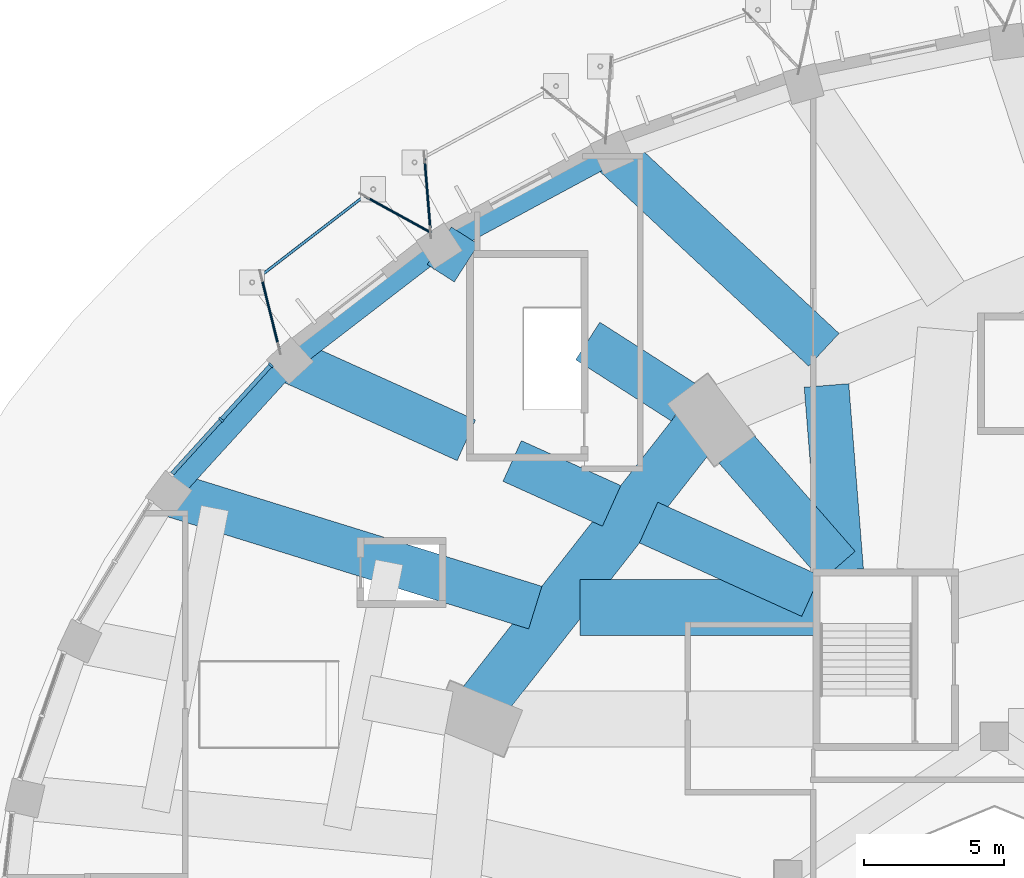
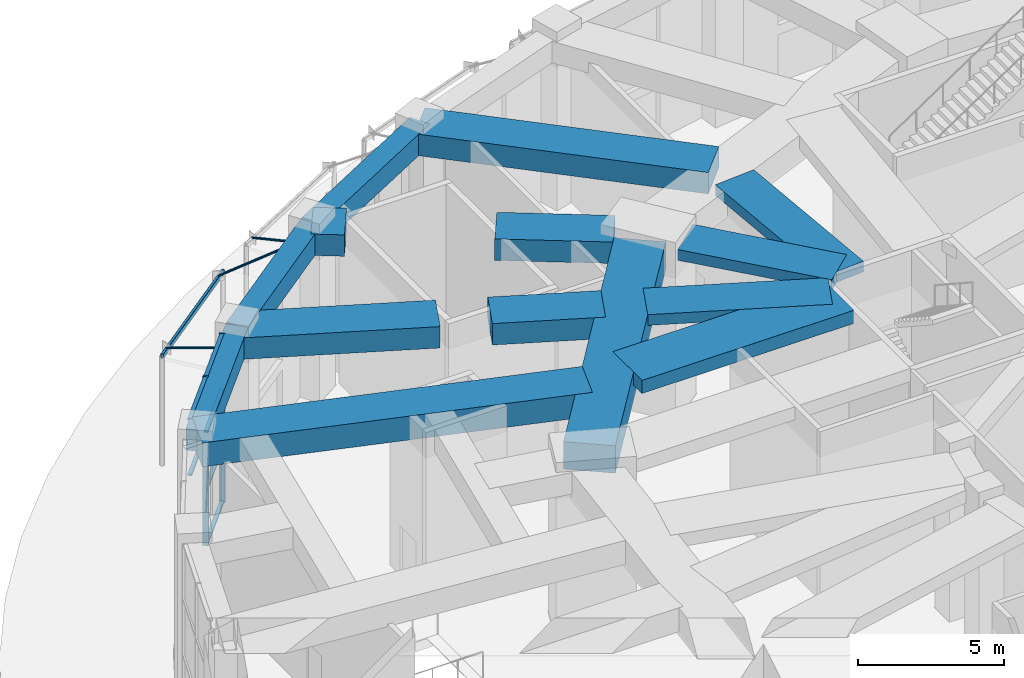
# One storey, part 26 of 60: 15 beams, 11 members, 1 element without a shape of its own.
"""IFC4 building model written with IfcOpenShell, lengths in metres."""

import ifcopenshell
import ifcopenshell.guid

model = None  # the IFC model being written
_history = None  # IfcOwnerHistory: only IFC2X3 demands one
_inside = {}  # id of a spatial element -> (the spatial element, [elements in it])
_under = {}  # id of a project, library or spatial element -> (it, [spatial elements below it])
_declared = {}  # id of a project -> (the project, [libraries it declares])
_typed = {}  # id of a type object -> (the type object, [elements of that type])
_made_of = {}  # id of a material, layer set ... -> (it, [elements and type objects made of it])


def new_model(schema):
    """Start an empty IFC model of exactly this schema.

    Asked for "IFC4X3", IfcOpenShell would pick the latest addendum, in which some entities
    have other attributes; the version numbers below select the first issue.
    IFC2X3 requires an IfcOwnerHistory on every rooted entity: one is made here for all.
    """
    global model, _history
    if schema == "IFC4X3":
        model = ifcopenshell.file(schema_version=(4, 3, 0, 0))
    else:
        model = ifcopenshell.file(schema=schema)
    _inside.clear()
    _under.clear()
    _declared.clear()
    _typed.clear()
    _made_of.clear()
    _history = None
    if model.schema == "IFC2X3":
        org = make("IfcOrganization", Name="unknown")
        user = make(
            "IfcPersonAndOrganization",
            ThePerson=make("IfcPerson", FamilyName="unknown"),
            TheOrganization=org,
        )
        app = make(
            "IfcApplication",
            ApplicationDeveloper=org,
            Version="unknown",
            ApplicationFullName="unknown",
            ApplicationIdentifier="unknown",
        )
        _history = make(
            "IfcOwnerHistory",
            OwningUser=user,
            OwningApplication=app,
            ChangeAction="ADDED",
            CreationDate=0,
        )
    return model


def make(cls, **values):
    """One entity of the class cls with the attributes given. An attribute that is None is left unset."""
    return model.create_entity(
        cls, **{name: value for name, value in values.items() if value is not None}
    )


def rooted(cls, **values):
    """An entity with a GlobalId (a new one), such as an element, a storey or a relation."""
    return make(cls, GlobalId=ifcopenshell.guid.new(), OwnerHistory=_history, **values)


def si_unit(unit_type, name, prefix=None):
    """IfcSIUnit, for example si_unit("LENGTHUNIT", "METRE", prefix="MILLI")."""
    return make("IfcSIUnit", UnitType=unit_type, Prefix=prefix, Name=name)


def assignment(units):
    """IfcUnitAssignment: the units of a project."""
    return None if units is None else make("IfcUnitAssignment", Units=units)


def point(xyz):
    """IfcCartesianPoint."""
    return None if xyz is None else make("IfcCartesianPoint", Coordinates=xyz)


def direction(xyz):
    """IfcDirection."""
    return None if xyz is None else make("IfcDirection", DirectionRatios=xyz)


def frame(location, z_axis=None, x_axis=None):
    """IfcAxis2Placement3D, a coordinate frame: its origin and axes. An axis left out is left unset."""
    return make(
        "IfcAxis2Placement3D",
        Location=point(location),
        Axis=direction(z_axis),
        RefDirection=direction(x_axis),
    )


def frame_2d(location, x_axis=None):
    """IfcAxis2Placement2D, a coordinate frame in the plane: its origin and x axis."""
    return make(
        "IfcAxis2Placement2D", Location=point(location), RefDirection=direction(x_axis)
    )


def origin():
    """The frame at (0, 0, 0) with its axes left unset."""
    return frame((0.0, 0.0, 0.0))


def origin_2d():
    """The frame at (0, 0) in the plane with its x axis left unset."""
    return frame_2d((0.0, 0.0))


def place(relative_to, where):
    """IfcLocalPlacement: puts the frame where relative to a parent placement (None: the world)."""
    return make(
        "IfcLocalPlacement", PlacementRelTo=relative_to, RelativePlacement=where
    )


def context(
    kind, dimensions, precision=None, world=None, true_north=None, identifier=None
):
    """IfcGeometricRepresentationContext, for example the 3D "Model" context."""
    return make(
        "IfcGeometricRepresentationContext",
        ContextIdentifier=identifier,
        ContextType=kind,
        CoordinateSpaceDimension=dimensions,
        Precision=precision,
        WorldCoordinateSystem=world,
        TrueNorth=true_north,
    )


def subcontext(parent, identifier, kind, view, scale=None):
    """IfcGeometricRepresentationSubContext, for example "Body" below "Model"."""
    return make(
        "IfcGeometricRepresentationSubContext",
        ContextIdentifier=identifier,
        ContextType=kind,
        ParentContext=parent,
        TargetScale=scale,
        TargetView=view,
    )


def project(units=None, contexts=None):
    """IfcProject with its units and contexts."""
    return rooted(
        "IfcProject",
        Name="project",
        RepresentationContexts=contexts,
        UnitsInContext=assignment(units),
    )


def spatial(cls, under=None, at=None, **own):
    """A site, building, storey or space (cls), placed at a placement, below another one or the project."""
    s = rooted(cls, ObjectPlacement=at, **own)
    if under is not None:
        _under.setdefault(under.id(), (under, []))[1].append(s)
    return s


def profile(cls, at=None, kind="AREA", **sizes):
    """A parametric profile (cls). Its sizes go by their IFC names, for example OverallWidth=200.0."""
    return make(cls, ProfileType=kind, Position=at, **sizes)


def rectangle(**sizes):
    """IfcRectangleProfileDef."""
    return profile("IfcRectangleProfileDef", **sizes)


def hollow_rectangle(**sizes):
    """IfcRectangleHollowProfileDef."""
    return profile("IfcRectangleHollowProfileDef", **sizes)


def hollow_circle(**sizes):
    """IfcCircleHollowProfileDef."""
    return profile("IfcCircleHollowProfileDef", **sizes)


def extrude(swept, where, along, depth):
    """IfcExtrudedAreaSolid: the profile swept, set in the frame where, extruded along a direction by depth."""
    return make(
        "IfcExtrudedAreaSolid",
        SweptArea=swept,
        Position=where,
        ExtrudedDirection=direction(along),
        Depth=depth,
    )


def shape(context_of_items, identifier, shape_type, items):
    """IfcShapeRepresentation: the items that make up one representation, for example the "Body"."""
    return make(
        "IfcShapeRepresentation",
        ContextOfItems=context_of_items,
        RepresentationIdentifier=identifier,
        RepresentationType=shape_type,
        Items=items,
    )


def material(Name=None, Category=None):
    """IfcMaterial."""
    return make("IfcMaterial", Name=Name, Category=Category)


def material_profile(
    of_material, cross_section, Name=None, Category=None, Priority=None
):
    """IfcMaterialProfile: a cross section and its material."""
    return make(
        "IfcMaterialProfile",
        Name=Name,
        Material=of_material,
        Profile=cross_section,
        Priority=Priority,
        Category=Category,
    )


def profile_set(profiles, Name=None, composite=None):
    """IfcMaterialProfileSet."""
    return make(
        "IfcMaterialProfileSet",
        Name=Name,
        MaterialProfiles=profiles,
        CompositeProfile=composite,
    )


def made_of(thing, what):
    """Note that an element or type object is made of a material, layer set ...; save() writes the relation."""
    if what is not None:
        _made_of.setdefault(what.id(), (what, []))[1].append(thing)
    return thing


def type_object(cls, material=None, **own):
    """A type object (cls), such as IfcWallType, which elements share."""
    return made_of(rooted(cls, **own), material)


def element(
    cls,
    number,
    at=None,
    inside=None,
    cuts=None,
    type_object=None,
    material=None,
    context=None,
    identifier="Body",
    shape_type=None,
    held_by="IfcProductDefinitionShape",
    body=None,
    shapes=None,
    **own,
):
    """One element of the class cls, such as IfcWall. Its Tag is "e" and its number.

    at: its placement. inside: the storey or other place that contains it. cuts: it is an
    opening in that element (IfcRelVoidsElement). A single representation is given by context,
    identifier, shape_type and body (its items); several are given by shapes. held_by: the class
    of the entity that holds the representations. save() writes the other relations.
    """
    e = rooted(cls, Tag="e%d" % number, ObjectPlacement=at, **own)
    if body is not None:
        shapes = [shape(context, identifier, shape_type, body)]
    if shapes is not None:
        e.Representation = make(held_by, Representations=shapes)
    if inside is not None:
        _inside.setdefault(inside.id(), (inside, []))[1].append(e)
    if cuts is not None:
        rooted(
            "IfcRelVoidsElement", RelatingBuildingElement=cuts, RelatedOpeningElement=e
        )
    if type_object is not None:
        _typed.setdefault(type_object.id(), (type_object, []))[1].append(e)
    return made_of(e, material)


def aggregate(whole, parts):
    """IfcRelAggregates: a whole, such as a stair, and the parts it consists of."""
    return rooted("IfcRelAggregates", RelatingObject=whole, RelatedObjects=parts)


def save(model, path):
    """Write the relations noted so far, then the file.

    IfcRelAggregates (storeys below a building ...), IfcRelContainedInSpatialStructure (elements
    in a storey), IfcRelDefinesByType, IfcRelAssociatesMaterial and IfcRelDeclares: one each for
    every whole, place, type object, material and project.
    """
    for whole, parts in _under.values():
        aggregate(whole, parts)
    for where, things in _inside.values():
        rooted(
            "IfcRelContainedInSpatialStructure",
            RelatedElements=things,
            RelatingStructure=where,
        )
    for kind, things in _typed.values():
        rooted("IfcRelDefinesByType", RelatedObjects=things, RelatingType=kind)
    for what, things in _made_of.values():
        rooted("IfcRelAssociatesMaterial", RelatedObjects=things, RelatingMaterial=what)
    for by, libraries in _declared.values():
        rooted("IfcRelDeclares", RelatingContext=by, RelatedDefinitions=libraries)
    model.write(path)


model = new_model("IFC4")

# Units and contexts
model_context = context("Model", 3, precision=1e-05, world=origin(), true_north=direction((0.0, 1.0)))
body_context = subcontext(model_context, "Body", "Model", "MODEL_VIEW")
ifc_project = project(units=[si_unit("LENGTHUNIT", "METRE"), si_unit("AREAUNIT", "SQUARE_METRE"), si_unit("VOLUMEUNIT", "CUBIC_METRE"), si_unit("PLANEANGLEUNIT", "RADIAN"), si_unit("MASSUNIT", "GRAM", prefix="KILO")], contexts=[model_context])

# Site, building, storey
site_placement = place(None, origin())
site = spatial("IfcSite", under=ifc_project, at=site_placement, CompositionType="ELEMENT")
building_placement = place(site_placement, origin())
building = spatial("IfcBuilding", under=site, at=building_placement, Name="Taillehof Tower", CompositionType="ELEMENT")
storey_placement = place(building_placement, origin())
storey = spatial("IfcBuildingStorey", under=building, at=storey_placement, Name="L00", CompositionType="ELEMENT", Elevation=0.0)

# Beam
ifc_material_1 = material(Name="Steel S460M", Category="steel")
ifc_material_profile_1 = material_profile(ifc_material_1, hollow_rectangle(XDim=0.10009765625, YDim=0.199951171875, WallThickness=0.008056640625, InnerFilletRadius=0.008056640625, OuterFilletRadius=0.011962890625, at=origin_2d()), Name="RHS 200x100x8")
ifc_profile_set_1 = profile_set([ifc_material_profile_1], Name="Steel S460M")
beam_type_1 = type_object("IfcBeamType", Name="Canopy edge beam RHS 200x100x8", PredefinedType="BEAM", material=ifc_profile_set_1)
beam_1_placement = place(storey_placement, frame((-30.247802734375, 27.6240234375, 4.550048828125), z_axis=(-0.792460982744, -0.609922610524, 0.0), x_axis=(0.609922610524, -0.792460982744, 0.0)))
element("IfcBeam", 1, at=beam_1_placement, inside=storey, type_object=beam_type_1, Name="Canopy edge beam E2", PredefinedType="BEAM", context=body_context, shape_type="SweptSolid", body=[
    extrude(hollow_rectangle(XDim=0.10009765625, YDim=0.199951171875, WallThickness=0.008056640625, InnerFilletRadius=0.008056640625, OuterFilletRadius=0.011962890625, at=origin_2d()), origin(), (0.0, 0.0, 1.0), 5.51318359375),
])

# Members
ifc_material_2 = material(Name="Steel S460M", Category="steel")
ifc_material_profile_2 = material_profile(ifc_material_2, hollow_circle(Radius=0.04443359375, WallThickness=0.0048828125, at=origin_2d()), Name="CHS 89x5")
ifc_profile_set_2 = profile_set([ifc_material_profile_2], Name="Steel S460M")
member_type_1 = type_object("IfcMemberType", Name="Canopy tie CHS 89x5", PredefinedType="BRACE", material=ifc_profile_set_2)
member_1_placement = place(storey_placement, frame((-28.42822265625, 28.76318359375, 4.639892578125), z_axis=(0.072990996782, -0.890635175961, 0.448822122594), x_axis=(0.996658604155, 0.081680026718, 0.0)))
element("IfcMember", 2, at=member_1_placement, inside=storey, type_object=member_type_1, Name="Canopy tie E20", PredefinedType="BRACE", context=body_context, shape_type="SweptSolid", body=[
    extrude(hollow_circle(Radius=0.04443359375, WallThickness=0.0048828125, at=origin_2d()), origin(), (0.0, 0.0, 1.0), 3.0302734375),
])
member_2_placement = place(storey_placement, frame((-30.580810546875, 27.367919921875, 4.639892578125), z_axis=(0.783276965784, -0.430186053408, 0.448795225381), x_axis=(0.481389194927, 0.876506955482, 0.0)))
element("IfcMember", 3, at=member_2_placement, inside=storey, type_object=member_type_1, Name="Canopy tie E2", PredefinedType="BRACE", context=body_context, shape_type="SweptSolid", body=[
    extrude(hollow_circle(Radius=0.04443359375, WallThickness=0.0048828125, at=origin_2d()), origin(), (0.0, 0.0, 1.0), 3.030517578125),
])
member_3_placement = place(storey_placement, frame((-34.283935546875, 24.517578125, 4.639892578125), z_axis=(0.214905929566, -0.867437014804, 0.448740979615), x_axis=(0.970654613858, 0.240477900434, 0.0)))
element("IfcMember", 4, at=member_3_placement, inside=storey, type_object=member_type_1, Name="Canopy tie E2", PredefinedType="BRACE", context=body_context, shape_type="SweptSolid", body=[
    extrude(hollow_circle(Radius=0.04443359375, WallThickness=0.0048828125, at=origin_2d()), origin(), (0.0, 0.0, 1.0), 3.031005859375),
])

# Beams
ifc_material_3 = material(Name="Concrete C50/60", Category="concrete")
ifc_material_profile_3 = material_profile(ifc_material_3, rectangle(XDim=0.800048828125, YDim=0.89990234375, at=origin_2d()), Name="RC 800x900")
ifc_profile_set_3 = profile_set([ifc_material_profile_3], Name="Concrete C50/60")
beam_type_2 = type_object("IfcBeamType", Name="Podium edge beam C50/60 800x900", PredefinedType="BEAM", material=ifc_profile_set_3)
beam_2_placement = place(storey_placement, frame((-21.699951171875, 28.92529296875, 6.639892578125), z_axis=(-0.880322944269, -0.474374866317, 0.0), x_axis=(0.474374866317, -0.880322944269, 0.0)))
element("IfcBeam", 5, at=beam_2_placement, inside=storey, type_object=beam_type_2, Name="Podium edge beam PB13", PredefinedType="BEAM", context=body_context, shape_type="SweptSolid", body=[
    extrude(rectangle(XDim=0.800048828125, YDim=0.89990234375, at=origin_2d()), origin(), (0.0, 0.0, 1.0), 7.03955078125),
])
beam_3_placement = place(storey_placement, frame((-27.89697265625, 25.5859375, 6.639892578125), z_axis=(-0.79247741179, -0.609901263978, 0.0), x_axis=(0.609901263978, -0.79247741179, 0.0)))
element("IfcBeam", 6, at=beam_3_placement, inside=storey, type_object=beam_type_2, Name="Podium edge beam PB14", PredefinedType="BEAM", context=body_context, shape_type="SweptSolid", body=[
    extrude(rectangle(XDim=0.800048828125, YDim=0.89990234375, at=origin_2d()), origin(), (0.0, 0.0, 1.0), 6.750244140625),
])
beam_4_placement = place(storey_placement, frame((-33.246337890625, 21.468994140625, 6.639892578125), z_axis=(-0.67297994181, -0.739660731634, 0.0), x_axis=(0.739660731634, -0.67297994181, 0.0)))
element("IfcBeam", 7, at=beam_4_placement, inside=storey, type_object=beam_type_2, Name="Podium edge beam PB15", PredefinedType="BEAM", context=body_context, shape_type="SweptSolid", body=[
    extrude(rectangle(XDim=0.800048828125, YDim=0.89990234375, at=origin_2d()), origin(), (0.0, 0.0, 1.0), 6.447509765625),
])
ifc_material_4 = material(Name="Concrete C50/60", Category="concrete")
ifc_material_profile_4 = material_profile(ifc_material_4, rectangle(XDim=1.60009765625, YDim=1.0, at=origin_2d()), Name="RC 1600x1000")
ifc_profile_set_4 = profile_set([ifc_material_profile_4], Name="Concrete C50/60")
beam_type_3 = type_object("IfcBeamType", Name="Podium radial beam C50/60 1600x1000", PredefinedType="BEAM", material=ifc_profile_set_4)
beam_5_placement = place(storey_placement, frame((-37.58544921875, 16.699951171875, 6.590087890625), z_axis=(0.954998937437, -0.296609220179, 0.0), x_axis=(0.296609220179, 0.954998937437, 0.0)))
element("IfcBeam", 8, at=beam_5_placement, inside=storey, type_object=beam_type_3, Name="Podium radial beam PR16", PredefinedType="BEAM", context=body_context, shape_type="SweptSolid", body=[
    extrude(rectangle(XDim=1.60009765625, YDim=1.0, at=origin_2d()), origin(), (0.0, 0.0, 1.0), 13.748291015625),
])
ifc_material_5 = material(Name="Concrete C50/60", Category="concrete")
ifc_material_profile_5 = material_profile(ifc_material_5, rectangle(XDim=1.60009765625, YDim=0.89990234375, at=origin_2d()), Name="RC 1600x900")
ifc_profile_set_5 = profile_set([ifc_material_profile_5], Name="Concrete C50/60")
beam_type_4 = type_object("IfcBeamType", Name="Podium radial beam C50/60 1600x900", PredefinedType="BEAM", material=ifc_profile_set_5)
beam_6_placement = place(storey_placement, frame((-21.699951171875, 28.92529296875, 6.639892578125), z_axis=(0.73163305696, -0.681698665074, 0.0), x_axis=(0.681698665074, 0.73163305696, 0.0)))
element("IfcBeam", 9, at=beam_6_placement, inside=storey, type_object=beam_type_4, Name="Podium radial beam PR13", PredefinedType="BEAM", context=body_context, shape_type="SweptSolid", body=[
    extrude(rectangle(XDim=1.60009765625, YDim=0.89990234375, at=origin_2d()), origin(), (0.0, 0.0, 1.0), 10.365234375),
])
beam_7_placement = place(storey_placement, frame((-27.89697265625, 25.5859375, 6.639892578125), z_axis=(0.841775665567, -0.539827499169, 0.0), x_axis=(0.539827499169, 0.841775665567, 0.0)))
element("IfcBeam", 10, at=beam_7_placement, inside=storey, type_object=beam_type_4, Name="Podium radial beam PR14", PredefinedType="BEAM", context=body_context, shape_type="SweptSolid", body=[
    extrude(rectangle(XDim=1.60009765625, YDim=0.89990234375, at=origin_2d()), origin(), (0.0, 0.0, 1.0), 1.154541015625),
])
beam_8_placement = place(storey_placement, frame((-22.574951171875, 22.173828125, 6.639892578125), z_axis=(0.841844206541, -0.539720605419, 0.0), x_axis=(0.539720605419, 0.841844206541, 0.0)))
element("IfcBeam", 11, at=beam_8_placement, inside=storey, type_object=beam_type_4, Name="Podium radial beam PR14", PredefinedType="BEAM", context=body_context, shape_type="SweptSolid", body=[
    extrude(rectangle(XDim=1.60009765625, YDim=0.89990234375, at=origin_2d()), origin(), (0.0, 0.0, 1.0), 4.071044921875),
])
beam_9_placement = place(storey_placement, frame((-33.246337890625, 21.468994140625, 6.639892578125), z_axis=(0.911451939096, -0.411406566206, 0.0), x_axis=(0.411406566206, 0.911451939096, 0.0)))
element("IfcBeam", 12, at=beam_9_placement, inside=storey, type_object=beam_type_4, Name="Podium radial beam PR15", PredefinedType="BEAM", context=body_context, shape_type="SweptSolid", body=[
    extrude(rectangle(XDim=1.60009765625, YDim=0.89990234375, at=origin_2d()), origin(), (0.0, 0.0, 1.0), 6.935302734375),
])
beam_10_placement = place(storey_placement, frame((-25.2841796875, 17.875, 6.639892578125), z_axis=(0.911458229732, -0.411392629314, 0.0), x_axis=(0.411392629314, 0.911458229732, 0.0)))
element("IfcBeam", 13, at=beam_10_placement, inside=storey, type_object=beam_type_4, Name="Podium radial beam PR15", PredefinedType="BEAM", context=body_context, shape_type="SweptSolid", body=[
    extrude(rectangle(XDim=1.60009765625, YDim=0.89990234375, at=origin_2d()), origin(), (0.0, 0.0, 1.0), 3.90966796875),
])
ifc_material_6 = material(Name="Concrete C50/60", Category="concrete")
ifc_material_profile_6 = material_profile(ifc_material_6, rectangle(XDim=1.60009765625, YDim=0.449951171875, at=origin_2d()), Name="RC 1600x450")
ifc_profile_set_6 = profile_set([ifc_material_profile_6], Name="Concrete C50/60")
beam_type_5 = type_object("IfcBeamType", Name="Radial band beam C50/60 1600x450", PredefinedType="BEAM", material=ifc_profile_set_6)
beam_11_placement = place(storey_placement, frame((-14.022705078125, 20.580810546875, 6.864990234375), z_axis=(0.079171881643, -0.996860979855, 0.0), x_axis=(0.996860979855, 0.079171881643, 0.0)))
element("IfcBeam", 14, at=beam_11_placement, inside=storey, type_object=beam_type_5, Name="Radial band beam RB13", PredefinedType="BEAM", context=body_context, shape_type="SweptSolid", body=[
    extrude(rectangle(XDim=1.60009765625, YDim=0.449951171875, at=origin_2d()), origin(), (0.0, 0.0, 1.0), 6.651611328125),
])
beam_12_placement = place(storey_placement, frame((-17.275146484375, 18.329345703125, 6.864990234375), z_axis=(0.657212129722, -0.753705656438, 0.0), x_axis=(0.753705656438, 0.657212129722, 0.0)))
element("IfcBeam", 15, at=beam_12_placement, inside=storey, type_object=beam_type_5, Name="Radial band beam RB14", PredefinedType="BEAM", context=body_context, shape_type="SweptSolid", body=[
    extrude(rectangle(XDim=1.60009765625, YDim=0.449951171875, at=origin_2d()), origin(), (0.0, 0.0, 1.0), 5.593994140625),
])
beam_13_placement = place(storey_placement, frame((-20.395263671875, 15.6669921875, 6.864990234375), z_axis=(0.911103818844, -0.412176941724, 0.0), x_axis=(0.412176941724, 0.911103818844, 0.0)))
element("IfcBeam", 16, at=beam_13_placement, inside=storey, type_object=beam_type_5, Name="Radial band beam RB15", PredefinedType="BEAM", context=body_context, shape_type="SweptSolid", body=[
    extrude(rectangle(XDim=1.60009765625, YDim=0.449951171875, at=origin_2d()), origin(), (0.0, 0.0, 1.0), 6.3828125),
])
ifc_material_7 = material(Name="Concrete C50/60", Category="concrete")
ifc_material_profile_7 = material_profile(ifc_material_7, rectangle(XDim=2.0, YDim=0.550048828125, at=origin_2d()), Name="RC 2000x550")
ifc_profile_set_7 = profile_set([ifc_material_profile_7], Name="Concrete C50/60")
beam_type_6 = type_object("IfcBeamType", Name="Radial band beam C50/60 2000x550", PredefinedType="BEAM", material=ifc_profile_set_7)
beam_14_placement = place(storey_placement, frame((-22.861328125, 12.625, 6.81494140625), z_axis=(1.0, 0.0, 0.0), x_axis=(0.0, 1.0, 0.0)))
element("IfcBeam", 17, at=beam_14_placement, inside=storey, type_object=beam_type_6, Name="Radial band beam RB16", PredefinedType="BEAM", context=body_context, shape_type="SweptSolid", body=[
    extrude(rectangle(XDim=2.0, YDim=0.550048828125, at=origin_2d()), origin(), (0.0, 0.0, 1.0), 8.411376953125),
])
ifc_material_8 = material(Name="Concrete C50/60", Category="concrete")
ifc_material_profile_8 = material_profile(ifc_material_8, rectangle(XDim=1.800048828125, YDim=1.14990234375, at=origin_2d()), Name="RC 1800x1150")
ifc_profile_set_8 = profile_set([ifc_material_profile_8], Name="Concrete C50/60")
beam_type_7 = type_object("IfcBeamType", Name="Ring floor beam C50/60 1800x1150", PredefinedType="BEAM", material=ifc_profile_set_8)
beam_15_placement = place(storey_placement, frame((-18.706787109375, 18.96728515625, 6.514892578125), z_axis=(-0.616695661832, -0.787201664555, 0.0), x_axis=(0.787201664555, -0.616695661832, 0.0)))
element("IfcBeam", 18, at=beam_15_placement, inside=storey, type_object=beam_type_7, Name="Ring floor beam RG05", PredefinedType="BEAM", context=body_context, shape_type="SweptSolid", body=[
    extrude(rectangle(XDim=1.800048828125, YDim=1.14990234375, at=origin_2d()), origin(), (0.0, 0.0, 1.0), 12.351318359375),
])

# Curtain wall, members
ifc_material_9 = material(Name="Aluminium curtain wall with Clear laminated safety glass", Category="aluminium")
curtain_wall_type = type_object("IfcCurtainWallType", Name="Station storefront curtain wall", PredefinedType="USERDEFINED", material=ifc_material_9)
curtain_wall_placement = place(storey_placement, origin())
curtain_wall = element("IfcCurtainWall", 19, at=curtain_wall_placement, inside=storey, type_object=curtain_wall_type, Name="Station storefront L00 bay 15", ObjectType="STOREFRONT", PredefinedType="USERDEFINED")
ifc_material_10 = material(Name="Aluminium mullion", Category="aluminium")
ifc_material_profile_9 = material_profile(ifc_material_10, rectangle(XDim=0.199951171875, YDim=0.080078125, at=origin_2d()), Name="AL 80x200")
ifc_profile_set_9 = profile_set([ifc_material_profile_9], Name="Aluminium mullion")
member_type_2 = type_object("IfcMemberType", Name="Station storefront mullion 80x200", PredefinedType="MULLION", material=ifc_profile_set_9)
member_4_placement = place(storey_placement, frame((-33.928955078125, 21.309814453125, 0.0), z_axis=(0.0, 0.0, 1.0), x_axis=(0.739707112587, -0.672928961769, 0.0)))
member_4 = element("IfcMember", 20, at=member_4_placement, type_object=member_type_2, Name="CT115 mullion 1", PredefinedType="MULLION", context=body_context, shape_type="SweptSolid", body=[
    extrude(rectangle(XDim=0.199951171875, YDim=0.080078125, at=origin_2d()), origin(), (0.0, 0.0, 1.0), 7.090087890625),
])
member_5_placement = place(storey_placement, frame((-35.7109375, 19.35107421875, 0.0), z_axis=(0.0, 0.0, 1.0), x_axis=(0.739707112587, -0.672928961769, 0.0)))
member_5 = element("IfcMember", 21, at=member_5_placement, type_object=member_type_2, Name="CT115 mullion 2", PredefinedType="MULLION", context=body_context, shape_type="SweptSolid", body=[
    extrude(rectangle(XDim=0.199951171875, YDim=0.080078125, at=origin_2d()), origin(), (0.0, 0.0, 1.0), 7.090087890625),
])
ifc_material_11 = material(Name="Aluminium transom", Category="aluminium")
ifc_material_profile_10 = material_profile(ifc_material_11, rectangle(XDim=0.14990234375, YDim=0.080078125, at=origin_2d()), Name="AL 150x80")
ifc_profile_set_10 = profile_set([ifc_material_profile_10], Name="Aluminium transom")
member_type_3 = type_object("IfcMemberType", Name="Station storefront transom 150x80", PredefinedType="USERDEFINED", material=ifc_profile_set_10)
member_6_placement = place(storey_placement, frame((-33.955810546875, 21.2802734375, 0.0400390625), z_axis=(-0.672899895992, -0.739733553365, 0.0), x_axis=(0.739733553365, -0.672899895992, 0.0)))
member_6 = element("IfcMember", 22, at=member_6_placement, type_object=member_type_3, Name="CT115 transom 1.1", ObjectType="TRANSOM", PredefinedType="USERDEFINED", context=body_context, shape_type="SweptSolid", body=[
    extrude(rectangle(XDim=0.14990234375, YDim=0.080078125, at=origin_2d()), origin(), (0.0, 0.0, 1.0), 2.568115234375),
])
member_7_placement = place(storey_placement, frame((-33.955810546875, 21.2802734375, 2.36328125), z_axis=(-0.672899895992, -0.739733553365, 0.0), x_axis=(0.739733553365, -0.672899895992, 0.0)))
member_7 = element("IfcMember", 23, at=member_7_placement, type_object=member_type_3, Name="CT115 transom 1.2", ObjectType="TRANSOM", PredefinedType="USERDEFINED", context=body_context, shape_type="SweptSolid", body=[
    extrude(rectangle(XDim=0.14990234375, YDim=0.080078125, at=origin_2d()), origin(), (0.0, 0.0, 1.0), 2.568115234375),
])
member_8_placement = place(storey_placement, frame((-33.955810546875, 21.2802734375, 4.726806640625), z_axis=(-0.672899895992, -0.739733553365, 0.0), x_axis=(0.739733553365, -0.672899895992, 0.0)))
member_8 = element("IfcMember", 24, at=member_8_placement, type_object=member_type_3, Name="CT115 transom 1.3", ObjectType="TRANSOM", PredefinedType="USERDEFINED", context=body_context, shape_type="SweptSolid", body=[
    extrude(rectangle(XDim=0.14990234375, YDim=0.080078125, at=origin_2d()), origin(), (0.0, 0.0, 1.0), 2.568115234375),
])
member_9_placement = place(storey_placement, frame((-33.955810546875, 21.2802734375, 7.050048828125), z_axis=(-0.672899895992, -0.739733553365, 0.0), x_axis=(0.739733553365, -0.672899895992, 0.0)))
member_9 = element("IfcMember", 25, at=member_9_placement, type_object=member_type_3, Name="CT115 transom 1.4", ObjectType="TRANSOM", PredefinedType="USERDEFINED", context=body_context, shape_type="SweptSolid", body=[
    extrude(rectangle(XDim=0.14990234375, YDim=0.080078125, at=origin_2d()), origin(), (0.0, 0.0, 1.0), 2.568115234375),
])
member_10_placement = place(storey_placement, frame((-35.73779296875, 19.3212890625, 4.726806640625), z_axis=(-0.672899895992, -0.739733553365, 0.0), x_axis=(0.739733553365, -0.672899895992, 0.0)))
member_10 = element("IfcMember", 26, at=member_10_placement, type_object=member_type_3, Name="CT115 transom 2.3", ObjectType="TRANSOM", PredefinedType="USERDEFINED", context=body_context, shape_type="SweptSolid", body=[
    extrude(rectangle(XDim=0.14990234375, YDim=0.080078125, at=origin_2d()), origin(), (0.0, 0.0, 1.0), 2.568115234375),
])
member_11_placement = place(storey_placement, frame((-35.73779296875, 19.3212890625, 7.050048828125), z_axis=(-0.672899895992, -0.739733553365, 0.0), x_axis=(0.739733553365, -0.672899895992, 0.0)))
member_11 = element("IfcMember", 27, at=member_11_placement, type_object=member_type_3, Name="CT115 transom 2.4", ObjectType="TRANSOM", PredefinedType="USERDEFINED", context=body_context, shape_type="SweptSolid", body=[
    extrude(rectangle(XDim=0.14990234375, YDim=0.080078125, at=origin_2d()), origin(), (0.0, 0.0, 1.0), 2.568115234375),
])
aggregate(curtain_wall, [member_4, member_5, member_6, member_7, member_8, member_9, member_10, member_11])

save(model, "model.ifc")
